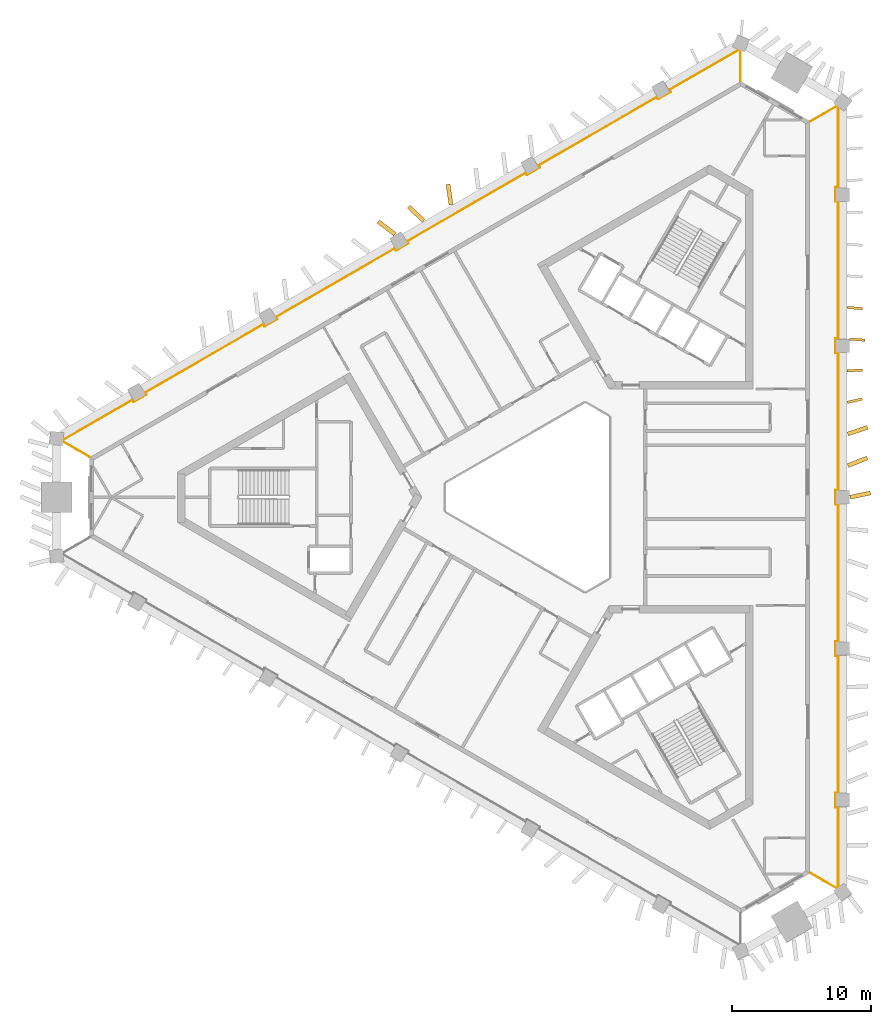
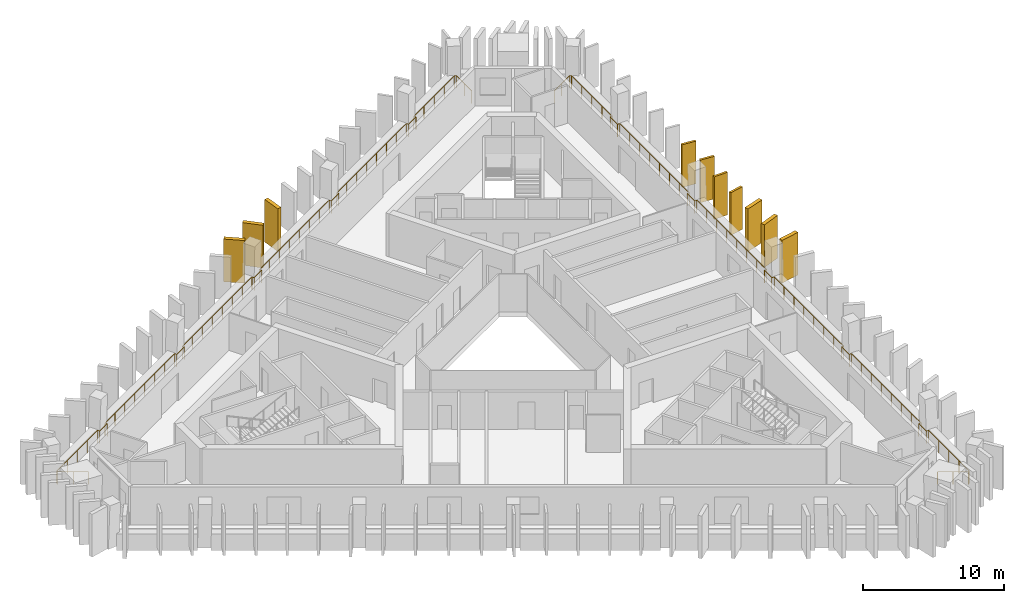
# One storey, part 9 of 10: 10 shading devices, 2 railings.
"""IFC4 building model written with IfcOpenShell, lengths in metres."""

from ifc_helpers import new_model, si_unit, direction, frame, frame_2d, origin, origin_2d, place, context, subcontext, project, spatial, rectangle, circle, extrude, material, layer, layer_set, type_object, element, save


model = new_model("IFC4")

# Units and contexts
model_context = context("Model", 3, precision=1e-05, world=origin(), true_north=direction((0.0, 1.0)))
body_context = subcontext(model_context, "Body", "Model", "MODEL_VIEW")
ifc_project = project(units=[si_unit("LENGTHUNIT", "METRE"), si_unit("AREAUNIT", "SQUARE_METRE"), si_unit("VOLUMEUNIT", "CUBIC_METRE"), si_unit("PLANEANGLEUNIT", "RADIAN"), si_unit("MASSUNIT", "GRAM", prefix="KILO")], contexts=[model_context])

# Site, building, storey
site_placement = place(None, origin())
site = spatial("IfcSite", under=ifc_project, at=site_placement, CompositionType="ELEMENT")
building_placement = place(site_placement, origin())
building = spatial("IfcBuilding", under=site, at=building_placement, Name="Jabali Bay Hotel Tower and Convention Centre", CompositionType="ELEMENT")
storey_placement = place(building_placement, frame((0.0, 0.0, 163.699951171875)))
storey = spatial("IfcBuildingStorey", under=building, at=storey_placement, Name="L39", CompositionType="ELEMENT", Elevation=163.699951171875)

# Railings
ifc_material_1 = material(Name="Glass", Category="glass")
railing_type = type_object("IfcRailingType", Name="Loggia glass guard 1100", PredefinedType="BALUSTRADE", material=ifc_material_1)
railing_1_placement = place(storey_placement, frame((94.000732421875, 107.090087890625, 0.0)))
element("IfcRailing", 1, at=railing_1_placement, inside=storey, type_object=railing_type, Name="Loggia glass guard L39", PredefinedType="BALUSTRADE", context=body_context, shape_type="SweptSolid", body=[
    extrude(circle(Radius=0.02490234375, at=origin_2d()), frame((0.0, 0.0, 1.0751953125), z_axis=(0.866007583809, 0.500030863832, 0.0), x_axis=(-0.495753030475, 0.858598768878, 0.13052619222)), (0.0, 0.0, 1.0), 2.192626953125),
    extrude(circle(Radius=0.02490234375, at=origin_2d()), frame((1.89892578125, 1.096435546875, 1.0751953125), z_axis=(0.800463797728, -0.599381104579, 0.0), x_axis=(0.59425331614, 0.793615718973, 0.13052619222)), (0.0, 0.0, 1.0), 0.126220703125),
    extrude(circle(Radius=0.02490234375, at=origin_2d()), frame((2.0, 1.020751953125, 1.0751953125), z_axis=(0.0, -1.0, 0.0), x_axis=(0.991444861374, 0.0, 0.13052619222)), (0.0, 0.0, 1.0), 5.757568359375),
    extrude(circle(Radius=0.02490234375, at=origin_2d()), frame((2.0, -4.73681640625, 1.0751953125), z_axis=(-1.0, 0.0, 0.0), x_axis=(0.0, -0.991444861374, 0.13052619222)), (0.0, 0.0, 1.0), 0.175048828125),
    extrude(circle(Radius=0.02490234375, at=origin_2d()), frame((1.824951171875, -4.73681640625, 1.0751953125), z_axis=(0.0, -1.0, 0.0), x_axis=(0.991444861374, 0.0, 0.13052619222)), (0.0, 0.0, 1.0), 1.0498046875),
    extrude(circle(Radius=0.02490234375, at=origin_2d()), frame((1.824951171875, -5.78662109375, 1.0751953125), z_axis=(1.0, 0.0, 0.0), x_axis=(0.0, 0.991444861374, 0.13052619222)), (0.0, 0.0, 1.0), 0.175048828125),
    extrude(circle(Radius=0.02490234375, at=origin_2d()), frame((2.0, -5.78662109375, 1.0751953125), z_axis=(0.0, -1.0, 0.0), x_axis=(0.991444861374, 0.0, 0.13052619222)), (0.0, 0.0, 1.0), 9.8642578125),
    extrude(circle(Radius=0.02490234375, at=origin_2d()), frame((2.0, -15.65087890625, 1.0751953125), z_axis=(-1.0, 0.0, 0.0), x_axis=(0.0, -0.991444861374, 0.13052619222)), (0.0, 0.0, 1.0), 0.175048828125),
    extrude(circle(Radius=0.02490234375, at=origin_2d()), frame((1.824951171875, -15.65087890625, 1.0751953125), z_axis=(0.0, -1.0, 0.0), x_axis=(0.991444861374, 0.0, 0.13052619222)), (0.0, 0.0, 1.0), 1.050048828125),
    extrude(circle(Radius=0.02490234375, at=origin_2d()), frame((1.824951171875, -16.700927734375, 1.0751953125), z_axis=(1.0, 0.0, 0.0), x_axis=(0.0, 0.991444861374, 0.13052619222)), (0.0, 0.0, 1.0), 0.175048828125),
    extrude(circle(Radius=0.02490234375, at=origin_2d()), frame((2.0, -16.700927734375, 1.0751953125), z_axis=(0.0, -1.0, 0.0), x_axis=(0.991444861374, 0.0, 0.13052619222)), (0.0, 0.0, 1.0), 9.8642578125),
    extrude(circle(Radius=0.02490234375, at=origin_2d()), frame((2.0, -26.565185546875, 1.0751953125), z_axis=(-1.0, 0.0, 0.0), x_axis=(0.0, -0.991444861374, 0.13052619222)), (0.0, 0.0, 1.0), 0.175048828125),
    extrude(circle(Radius=0.02490234375, at=origin_2d()), frame((1.824951171875, -26.565185546875, 1.0751953125), z_axis=(0.0, -1.0, 0.0), x_axis=(0.991444861374, 0.0, 0.13052619222)), (0.0, 0.0, 1.0), 1.0498046875),
    extrude(circle(Radius=0.02490234375, at=origin_2d()), frame((1.824951171875, -27.614990234375, 1.0751953125), z_axis=(1.0, 0.0, 0.0), x_axis=(0.0, 0.991444861374, 0.13052619222)), (0.0, 0.0, 1.0), 0.175048828125),
    extrude(circle(Radius=0.02490234375, at=origin_2d()), frame((2.0, -27.614990234375, 1.0751953125), z_axis=(0.0, -1.0, 0.0), x_axis=(0.991444861374, 0.0, 0.13052619222)), (0.0, 0.0, 1.0), 9.8642578125),
    extrude(circle(Radius=0.02490234375, at=origin_2d()), frame((2.0, -37.479248046875, 1.0751953125), z_axis=(-1.0, 0.0, 0.0), x_axis=(0.0, -0.991444861374, 0.13052619222)), (0.0, 0.0, 1.0), 0.175048828125),
    extrude(circle(Radius=0.02490234375, at=origin_2d()), frame((1.824951171875, -37.479248046875, 1.0751953125), z_axis=(0.0, -1.0, 0.0), x_axis=(0.991444861374, 0.0, 0.13052619222)), (0.0, 0.0, 1.0), 1.050048828125),
    extrude(circle(Radius=0.02490234375, at=origin_2d()), frame((1.824951171875, -38.529296875, 1.0751953125), z_axis=(1.0, 0.0, 0.0), x_axis=(0.0, 0.991444861374, 0.13052619222)), (0.0, 0.0, 1.0), 0.175048828125),
    extrude(circle(Radius=0.02490234375, at=origin_2d()), frame((2.0, -38.529296875, 1.0751953125), z_axis=(0.0, -1.0, 0.0), x_axis=(0.991444861374, 0.0, 0.13052619222)), (0.0, 0.0, 1.0), 9.8642578125),
    extrude(circle(Radius=0.02490234375, at=origin_2d()), frame((2.0, -48.3935546875, 1.0751953125), z_axis=(-1.0, 0.0, 0.0), x_axis=(0.0, -0.991444861374, 0.13052619222)), (0.0, 0.0, 1.0), 0.175048828125),
    extrude(circle(Radius=0.02490234375, at=origin_2d()), frame((1.824951171875, -48.3935546875, 1.0751953125), z_axis=(0.0, -1.0, 0.0), x_axis=(0.991444861374, 0.0, 0.13052619222)), (0.0, 0.0, 1.0), 1.0498046875),
    extrude(circle(Radius=0.02490234375, at=origin_2d()), frame((1.824951171875, -49.443359375, 1.0751953125), z_axis=(1.0, 0.0, 0.0), x_axis=(0.0, 0.991444861374, 0.13052619222)), (0.0, 0.0, 1.0), 0.175048828125),
    extrude(circle(Radius=0.02490234375, at=origin_2d()), frame((2.0, -49.443359375, 1.0751953125), z_axis=(0.0, -1.0, 0.0), x_axis=(0.991444861374, 0.0, 0.13052619222)), (0.0, 0.0, 1.0), 5.757568359375),
    extrude(circle(Radius=0.02490234375, at=origin_2d()), frame((2.0, -55.200927734375, 1.0751953125), z_axis=(-0.800463797728, -0.599381104579, 0.0), x_axis=(0.59425331614, -0.793615718973, 0.13052619222)), (0.0, 0.0, 1.0), 0.126220703125),
    extrude(circle(Radius=0.02490234375, at=origin_2d()), frame((1.89892578125, -55.276611328125, 1.0751953125), z_axis=(-0.866007583809, 0.500030863832, 0.0), x_axis=(-0.495753030475, -0.858598768878, 0.13052619222)), (0.0, 0.0, 1.0), 2.192626953125),
    extrude(circle(Radius=0.02001953125, at=origin_2d()), origin(), (0.0, 0.0, 1.0), 1.050048828125),
    extrude(circle(Radius=0.02001953125, at=origin_2d()), frame((0.949462890625, 0.54833984375, 0.0)), (0.0, 0.0, 1.0), 1.050048828125),
    extrude(circle(Radius=0.02001953125, at=origin_2d()), frame((1.89892578125, 1.096435546875, 0.0)), (0.0, 0.0, 1.0), 1.050048828125),
    extrude(circle(Radius=0.02001953125, at=origin_2d()), frame((2.0, 1.020751953125, 0.0)), (0.0, 0.0, 1.0), 1.050048828125),
    extrude(circle(Radius=0.02001953125, at=origin_2d()), frame((2.0, -0.418701171875, 0.0)), (0.0, 0.0, 1.0), 1.050048828125),
    extrude(circle(Radius=0.02001953125, at=origin_2d()), frame((2.0, -1.85791015625, 0.0)), (0.0, 0.0, 1.0), 1.050048828125),
    extrude(circle(Radius=0.02001953125, at=origin_2d()), frame((2.0, -3.29736328125, 0.0)), (0.0, 0.0, 1.0), 1.050048828125),
    extrude(circle(Radius=0.02001953125, at=origin_2d()), frame((2.0, -4.73681640625, 0.0)), (0.0, 0.0, 1.0), 1.050048828125),
    extrude(circle(Radius=0.02001953125, at=origin_2d()), frame((1.824951171875, -4.73681640625, 0.0)), (0.0, 0.0, 1.0), 1.050048828125),
    extrude(circle(Radius=0.02001953125, at=origin_2d()), frame((1.824951171875, -5.78662109375, 0.0)), (0.0, 0.0, 1.0), 1.050048828125),
    extrude(circle(Radius=0.02001953125, at=origin_2d()), frame((2.0, -5.78662109375, 0.0)), (0.0, 0.0, 1.0), 1.050048828125),
    extrude(circle(Radius=0.02001953125, at=origin_2d()), frame((2.0, -7.19580078125, 0.0)), (0.0, 0.0, 1.0), 1.050048828125),
    extrude(circle(Radius=0.02001953125, at=origin_2d()), frame((2.0, -8.60498046875, 0.0)), (0.0, 0.0, 1.0), 1.050048828125),
    extrude(circle(Radius=0.02001953125, at=origin_2d()), frame((2.0, -10.01416015625, 0.0)), (0.0, 0.0, 1.0), 1.050048828125),
    extrude(circle(Radius=0.02001953125, at=origin_2d()), frame((2.0, -11.42333984375, 0.0)), (0.0, 0.0, 1.0), 1.050048828125),
    extrude(circle(Radius=0.02001953125, at=origin_2d()), frame((2.0, -12.83251953125, 0.0)), (0.0, 0.0, 1.0), 1.050048828125),
    extrude(circle(Radius=0.02001953125, at=origin_2d()), frame((2.0, -14.24169921875, 0.0)), (0.0, 0.0, 1.0), 1.050048828125),
    extrude(circle(Radius=0.02001953125, at=origin_2d()), frame((2.0, -15.65087890625, 0.0)), (0.0, 0.0, 1.0), 1.050048828125),
    extrude(circle(Radius=0.02001953125, at=origin_2d()), frame((1.824951171875, -15.65087890625, 0.0)), (0.0, 0.0, 1.0), 1.050048828125),
    extrude(circle(Radius=0.02001953125, at=origin_2d()), frame((1.824951171875, -16.700927734375, 0.0)), (0.0, 0.0, 1.0), 1.050048828125),
    extrude(circle(Radius=0.02001953125, at=origin_2d()), frame((2.0, -16.700927734375, 0.0)), (0.0, 0.0, 1.0), 1.050048828125),
    extrude(circle(Radius=0.02001953125, at=origin_2d()), frame((2.0, -18.110107421875, 0.0)), (0.0, 0.0, 1.0), 1.050048828125),
    extrude(circle(Radius=0.02001953125, at=origin_2d()), frame((2.0, -19.519287109375, 0.0)), (0.0, 0.0, 1.0), 1.050048828125),
    extrude(circle(Radius=0.02001953125, at=origin_2d()), frame((2.0, -20.928466796875, 0.0)), (0.0, 0.0, 1.0), 1.050048828125),
    extrude(circle(Radius=0.02001953125, at=origin_2d()), frame((2.0, -22.337646484375, 0.0)), (0.0, 0.0, 1.0), 1.050048828125),
    extrude(circle(Radius=0.02001953125, at=origin_2d()), frame((2.0, -23.746826171875, 0.0)), (0.0, 0.0, 1.0), 1.050048828125),
    extrude(circle(Radius=0.02001953125, at=origin_2d()), frame((2.0, -25.156005859375, 0.0)), (0.0, 0.0, 1.0), 1.050048828125),
    extrude(circle(Radius=0.02001953125, at=origin_2d()), frame((2.0, -26.565185546875, 0.0)), (0.0, 0.0, 1.0), 1.050048828125),
    extrude(circle(Radius=0.02001953125, at=origin_2d()), frame((1.824951171875, -26.565185546875, 0.0)), (0.0, 0.0, 1.0), 1.050048828125),
    extrude(circle(Radius=0.02001953125, at=origin_2d()), frame((1.824951171875, -27.614990234375, 0.0)), (0.0, 0.0, 1.0), 1.050048828125),
    extrude(circle(Radius=0.02001953125, at=origin_2d()), frame((2.0, -27.614990234375, 0.0)), (0.0, 0.0, 1.0), 1.050048828125),
    extrude(circle(Radius=0.02001953125, at=origin_2d()), frame((2.0, -29.024169921875, 0.0)), (0.0, 0.0, 1.0), 1.050048828125),
    extrude(circle(Radius=0.02001953125, at=origin_2d()), frame((2.0, -30.433349609375, 0.0)), (0.0, 0.0, 1.0), 1.050048828125),
    extrude(circle(Radius=0.02001953125, at=origin_2d()), frame((2.0, -31.842529296875, 0.0)), (0.0, 0.0, 1.0), 1.050048828125),
    extrude(circle(Radius=0.02001953125, at=origin_2d()), frame((2.0, -33.251708984375, 0.0)), (0.0, 0.0, 1.0), 1.050048828125),
    extrude(circle(Radius=0.02001953125, at=origin_2d()), frame((2.0, -34.660888671875, 0.0)), (0.0, 0.0, 1.0), 1.050048828125),
    extrude(circle(Radius=0.02001953125, at=origin_2d()), frame((2.0, -36.070068359375, 0.0)), (0.0, 0.0, 1.0), 1.050048828125),
    extrude(circle(Radius=0.02001953125, at=origin_2d()), frame((2.0, -37.479248046875, 0.0)), (0.0, 0.0, 1.0), 1.050048828125),
    extrude(circle(Radius=0.02001953125, at=origin_2d()), frame((1.824951171875, -37.479248046875, 0.0)), (0.0, 0.0, 1.0), 1.050048828125),
    extrude(circle(Radius=0.02001953125, at=origin_2d()), frame((1.824951171875, -38.529296875, 0.0)), (0.0, 0.0, 1.0), 1.050048828125),
    extrude(circle(Radius=0.02001953125, at=origin_2d()), frame((2.0, -38.529296875, 0.0)), (0.0, 0.0, 1.0), 1.050048828125),
    extrude(circle(Radius=0.02001953125, at=origin_2d()), frame((2.0, -39.9384765625, 0.0)), (0.0, 0.0, 1.0), 1.050048828125),
    extrude(circle(Radius=0.02001953125, at=origin_2d()), frame((2.0, -41.34765625, 0.0)), (0.0, 0.0, 1.0), 1.050048828125),
    extrude(circle(Radius=0.02001953125, at=origin_2d()), frame((2.0, -42.7568359375, 0.0)), (0.0, 0.0, 1.0), 1.050048828125),
    extrude(circle(Radius=0.02001953125, at=origin_2d()), frame((2.0, -44.166015625, 0.0)), (0.0, 0.0, 1.0), 1.050048828125),
    extrude(circle(Radius=0.02001953125, at=origin_2d()), frame((2.0, -45.5751953125, 0.0)), (0.0, 0.0, 1.0), 1.050048828125),
    extrude(circle(Radius=0.02001953125, at=origin_2d()), frame((2.0, -46.984375, 0.0)), (0.0, 0.0, 1.0), 1.050048828125),
    extrude(circle(Radius=0.02001953125, at=origin_2d()), frame((2.0, -48.3935546875, 0.0)), (0.0, 0.0, 1.0), 1.050048828125),
    extrude(circle(Radius=0.02001953125, at=origin_2d()), frame((1.824951171875, -48.3935546875, 0.0)), (0.0, 0.0, 1.0), 1.050048828125),
    extrude(circle(Radius=0.02001953125, at=origin_2d()), frame((1.824951171875, -49.443359375, 0.0)), (0.0, 0.0, 1.0), 1.050048828125),
    extrude(circle(Radius=0.02001953125, at=origin_2d()), frame((2.0, -49.443359375, 0.0)), (0.0, 0.0, 1.0), 1.050048828125),
    extrude(circle(Radius=0.02001953125, at=origin_2d()), frame((2.0, -50.8828125, 0.0)), (0.0, 0.0, 1.0), 1.050048828125),
    extrude(circle(Radius=0.02001953125, at=origin_2d()), frame((2.0, -52.322265625, 0.0)), (0.0, 0.0, 1.0), 1.050048828125),
    extrude(circle(Radius=0.02001953125, at=origin_2d()), frame((2.0, -53.761474609375, 0.0)), (0.0, 0.0, 1.0), 1.050048828125),
    extrude(circle(Radius=0.02001953125, at=origin_2d()), frame((2.0, -55.200927734375, 0.0)), (0.0, 0.0, 1.0), 1.050048828125),
    extrude(circle(Radius=0.02001953125, at=origin_2d()), frame((1.89892578125, -55.276611328125, 0.0)), (0.0, 0.0, 1.0), 1.050048828125),
    extrude(circle(Radius=0.02001953125, at=origin_2d()), frame((0.949462890625, -54.728515625, 0.0)), (0.0, 0.0, 1.0), 1.050048828125),
    extrude(circle(Radius=0.02001953125, at=origin_2d()), frame((0.0, -54.18017578125, 0.0)), (0.0, 0.0, 1.0), 1.050048828125),
])
railing_2_placement = place(storey_placement, frame((42.0390625, 82.91015625, 0.0)))
element("IfcRailing", 2, at=railing_2_placement, inside=storey, type_object=railing_type, Name="Loggia glass guard L39", PredefinedType="BALUSTRADE", context=body_context, shape_type="SweptSolid", body=[
    extrude(circle(Radius=0.02490234375, at=origin_2d()), frame((0.0, 0.0, 1.0751953125), z_axis=(-0.866035418383, 0.499982653806, 0.0), x_axis=(-0.495705232892, -0.858626365323, 0.13052619222)), (0.0, 0.0, 1.0), 2.19287109375),
    extrude(circle(Radius=0.02490234375, at=origin_2d()), frame((-1.899169921875, 1.096435546875, 1.0751953125), z_axis=(0.119984594018, 0.992775753732, 0.0), x_axis=(-0.984282419534, 0.118958109183, 0.13052619222)), (0.0, 0.0, 1.0), 0.126220703125),
    extrude(circle(Radius=0.02490234375, at=origin_2d()), frame((-1.884033203125, 1.2216796875, 1.0751953125), z_axis=(0.86602952684, 0.49999285859, 0.0), x_axis=(-0.495715350372, 0.858620524184, 0.13052619222)), (0.0, 0.0, 1.0), 5.75732421875),
    extrude(circle(Radius=0.02490234375, at=origin_2d()), frame((3.10205078125, 4.100341796875, 1.0751953125), z_axis=(0.499440622861, -0.866348119543, 0.0), x_axis=(0.858936391282, 0.495167839097, 0.13052619222)), (0.0, 0.0, 1.0), 0.175048828125),
    extrude(circle(Radius=0.02490234375, at=origin_2d()), frame((3.189453125, 3.94873046875, 1.0751953125), z_axis=(0.865988129768, 0.500064554934, 0.0), x_axis=(-0.495786433345, 0.858579481269, 0.13052619222)), (0.0, 0.0, 1.0), 1.050048828125),
    extrude(circle(Radius=0.02490234375, at=origin_2d()), frame((4.098876953125, 4.473876953125, 1.0751953125), z_axis=(-0.501091290591, 0.865394429433, 0.0), x_axis=(-0.857990860123, -0.496804385136, 0.13052619222)), (0.0, 0.0, 1.0), 0.1748046875),
    extrude(circle(Radius=0.02490234375, at=origin_2d()), frame((4.01123046875, 4.625244140625, 1.0751953125), z_axis=(0.866026081843, 0.499998825566, 0.0), x_axis=(-0.495721266301, 0.858617108659, 0.13052619222)), (0.0, 0.0, 1.0), 9.8642578125),
    extrude(circle(Radius=0.02490234375, at=origin_2d()), frame((12.553955078125, 9.557373046875, 1.0751953125), z_axis=(0.499440622861, -0.866348119543, 0.0), x_axis=(0.858936391282, 0.495167839097, 0.13052619222)), (0.0, 0.0, 1.0), 0.175048828125),
    extrude(circle(Radius=0.02490234375, at=origin_2d()), frame((12.641357421875, 9.40576171875, 1.0751953125), z_axis=(0.865988129768, 0.500064554934, 0.0), x_axis=(-0.495786433345, 0.858579481269, 0.13052619222)), (0.0, 0.0, 1.0), 1.050048828125),
    extrude(circle(Radius=0.02490234375, at=origin_2d()), frame((13.55078125, 9.930908203125, 1.0751953125), z_axis=(-0.499440622861, 0.866348119543, 0.0), x_axis=(-0.858936391282, -0.495167839097, 0.13052619222)), (0.0, 0.0, 1.0), 0.175048828125),
    extrude(circle(Radius=0.02490234375, at=origin_2d()), frame((13.46337890625, 10.08251953125, 1.0751953125), z_axis=(0.866030611531, 0.49999097981, 0.0), x_axis=(-0.495713487666, 0.858621599595, 0.13052619222)), (0.0, 0.0, 1.0), 9.864013671875),
    extrude(circle(Radius=0.02490234375, at=origin_2d()), frame((22.005859375, 15.014404296875, 1.0751953125), z_axis=(0.501091290591, -0.865394429433, 0.0), x_axis=(0.857990860123, 0.496804385136, 0.13052619222)), (0.0, 0.0, 1.0), 0.1748046875),
    extrude(circle(Radius=0.02490234375, at=origin_2d()), frame((22.093505859375, 14.863037109375, 1.0751953125), z_axis=(0.866030680601, 0.499990860175, 0.0), x_axis=(-0.495713369054, 0.858621668074, 0.13052619222)), (0.0, 0.0, 1.0), 1.0498046875),
    extrude(circle(Radius=0.02490234375, at=origin_2d()), frame((23.002685546875, 15.387939453125, 1.0751953125), z_axis=(-0.499440622861, 0.866348119543, 0.0), x_axis=(-0.858936391282, -0.495167839097, 0.13052619222)), (0.0, 0.0, 1.0), 0.175048828125),
    extrude(circle(Radius=0.02490234375, at=origin_2d()), frame((22.915283203125, 15.53955078125, 1.0751953125), z_axis=(0.866019894181, 0.500009542791, 0.0), x_axis=(-0.495731891838, 0.858610973934, 0.13052619222)), (0.0, 0.0, 1.0), 9.864013671875),
    extrude(circle(Radius=0.02490234375, at=origin_2d()), frame((31.457763671875, 20.4716796875, 1.0751953125), z_axis=(0.500486622847, -0.865744269604, 0.0), x_axis=(0.858337707362, 0.496204890408, 0.13052619222)), (0.0, 0.0, 1.0), 0.175048828125),
    extrude(circle(Radius=0.02490234375, at=origin_2d()), frame((31.54541015625, 20.320068359375, 1.0751953125), z_axis=(0.866030680601, 0.499990860175, 0.0), x_axis=(-0.495713369054, 0.858621668074, 0.13052619222)), (0.0, 0.0, 1.0), 1.0498046875),
    extrude(circle(Radius=0.02490234375, at=origin_2d()), frame((32.45458984375, 20.844970703125, 1.0751953125), z_axis=(-0.499440622861, 0.866348119543, 0.0), x_axis=(-0.858936391282, -0.495167839097, 0.13052619222)), (0.0, 0.0, 1.0), 0.175048828125),
    extrude(circle(Radius=0.02490234375, at=origin_2d()), frame((32.3671875, 20.99658203125, 1.0751953125), z_axis=(0.866026081843, 0.499998825566, 0.0), x_axis=(-0.495721266301, 0.858617108659, 0.13052619222)), (0.0, 0.0, 1.0), 9.8642578125),
    extrude(circle(Radius=0.02490234375, at=origin_2d()), frame((40.909912109375, 25.9287109375, 1.0751953125), z_axis=(0.499440622861, -0.866348119543, 0.0), x_axis=(0.858936391282, 0.495167839097, 0.13052619222)), (0.0, 0.0, 1.0), 0.175048828125),
    extrude(circle(Radius=0.02490234375, at=origin_2d()), frame((40.997314453125, 25.777099609375, 1.0751953125), z_axis=(0.865988129768, 0.500064554934, 0.0), x_axis=(-0.495786433345, 0.858579481269, 0.13052619222)), (0.0, 0.0, 1.0), 1.050048828125),
    extrude(circle(Radius=0.02490234375, at=origin_2d()), frame((41.90673828125, 26.30224609375, 1.0751953125), z_axis=(-0.501091290591, 0.865394429433, 0.0), x_axis=(-0.857990860123, -0.496804385136, 0.13052619222)), (0.0, 0.0, 1.0), 0.1748046875),
    extrude(circle(Radius=0.02490234375, at=origin_2d()), frame((41.819091796875, 26.45361328125, 1.0751953125), z_axis=(0.866011165082, 0.500024661345, 0.0), x_axis=(-0.495746881051, 0.858602319513, 0.13052619222)), (0.0, 0.0, 1.0), 5.757568359375),
    extrude(circle(Radius=0.02490234375, at=origin_2d()), frame((46.80517578125, 29.33251953125, 1.0751953125), z_axis=(0.91884459615, -0.394619573926, 0.0), x_axis=(0.391243548766, 0.910983753254, 0.13052619222)), (0.0, 0.0, 1.0), 0.126220703125),
    extrude(circle(Radius=0.02490234375, at=origin_2d()), frame((46.921142578125, 29.28271484375, 1.0751953125), z_axis=(0.0, -1.0, 0.0), x_axis=(0.991444861374, 0.0, 0.13052619222)), (0.0, 0.0, 1.0), 2.192626953125),
    extrude(circle(Radius=0.02001953125, at=origin_2d()), origin(), (0.0, 0.0, 1.0), 1.050048828125),
    extrude(circle(Radius=0.02001953125, at=origin_2d()), frame((-0.94970703125, 0.54833984375, 0.0)), (0.0, 0.0, 1.0), 1.050048828125),
    extrude(circle(Radius=0.02001953125, at=origin_2d()), frame((-1.899169921875, 1.096435546875, 0.0)), (0.0, 0.0, 1.0), 1.050048828125),
    extrude(circle(Radius=0.02001953125, at=origin_2d()), frame((-1.884033203125, 1.2216796875, 0.0)), (0.0, 0.0, 1.0), 1.050048828125),
    extrude(circle(Radius=0.02001953125, at=origin_2d()), frame((-0.637451171875, 1.94140625, 0.0)), (0.0, 0.0, 1.0), 1.050048828125),
    extrude(circle(Radius=0.02001953125, at=origin_2d()), frame((0.60888671875, 2.6611328125, 0.0)), (0.0, 0.0, 1.0), 1.050048828125),
    extrude(circle(Radius=0.02001953125, at=origin_2d()), frame((1.85546875, 3.380615234375, 0.0)), (0.0, 0.0, 1.0), 1.050048828125),
    extrude(circle(Radius=0.02001953125, at=origin_2d()), frame((3.10205078125, 4.100341796875, 0.0)), (0.0, 0.0, 1.0), 1.050048828125),
    extrude(circle(Radius=0.02001953125, at=origin_2d()), frame((3.189453125, 3.94873046875, 0.0)), (0.0, 0.0, 1.0), 1.050048828125),
    extrude(circle(Radius=0.02001953125, at=origin_2d()), frame((4.098876953125, 4.473876953125, 0.0)), (0.0, 0.0, 1.0), 1.050048828125),
    extrude(circle(Radius=0.02001953125, at=origin_2d()), frame((4.01123046875, 4.625244140625, 0.0)), (0.0, 0.0, 1.0), 1.050048828125),
    extrude(circle(Radius=0.02001953125, at=origin_2d()), frame((5.231689453125, 5.329833984375, 0.0)), (0.0, 0.0, 1.0), 1.050048828125),
    extrude(circle(Radius=0.02001953125, at=origin_2d()), frame((6.451904296875, 6.034423828125, 0.0)), (0.0, 0.0, 1.0), 1.050048828125),
    extrude(circle(Radius=0.02001953125, at=origin_2d()), frame((7.67236328125, 6.739013671875, 0.0)), (0.0, 0.0, 1.0), 1.050048828125),
    extrude(circle(Radius=0.02001953125, at=origin_2d()), frame((8.892822265625, 7.443603515625, 0.0)), (0.0, 0.0, 1.0), 1.050048828125),
    extrude(circle(Radius=0.02001953125, at=origin_2d()), frame((10.11328125, 8.148193359375, 0.0)), (0.0, 0.0, 1.0), 1.050048828125),
    extrude(circle(Radius=0.02001953125, at=origin_2d()), frame((11.33349609375, 8.852783203125, 0.0)), (0.0, 0.0, 1.0), 1.050048828125),
    extrude(circle(Radius=0.02001953125, at=origin_2d()), frame((12.553955078125, 9.557373046875, 0.0)), (0.0, 0.0, 1.0), 1.050048828125),
    extrude(circle(Radius=0.02001953125, at=origin_2d()), frame((12.641357421875, 9.40576171875, 0.0)), (0.0, 0.0, 1.0), 1.050048828125),
    extrude(circle(Radius=0.02001953125, at=origin_2d()), frame((13.55078125, 9.930908203125, 0.0)), (0.0, 0.0, 1.0), 1.050048828125),
    extrude(circle(Radius=0.02001953125, at=origin_2d()), frame((13.46337890625, 10.08251953125, 0.0)), (0.0, 0.0, 1.0), 1.050048828125),
    extrude(circle(Radius=0.02001953125, at=origin_2d()), frame((14.683837890625, 10.787109375, 0.0)), (0.0, 0.0, 1.0), 1.050048828125),
    extrude(circle(Radius=0.02001953125, at=origin_2d()), frame((15.904052734375, 11.49169921875, 0.0)), (0.0, 0.0, 1.0), 1.050048828125),
    extrude(circle(Radius=0.02001953125, at=origin_2d()), frame((17.12451171875, 12.1962890625, 0.0)), (0.0, 0.0, 1.0), 1.050048828125),
    extrude(circle(Radius=0.02001953125, at=origin_2d()), frame((18.3447265625, 12.900634765625, 0.0)), (0.0, 0.0, 1.0), 1.050048828125),
    extrude(circle(Radius=0.02001953125, at=origin_2d()), frame((19.565185546875, 13.605224609375, 0.0)), (0.0, 0.0, 1.0), 1.050048828125),
    extrude(circle(Radius=0.02001953125, at=origin_2d()), frame((20.785400390625, 14.309814453125, 0.0)), (0.0, 0.0, 1.0), 1.050048828125),
    extrude(circle(Radius=0.02001953125, at=origin_2d()), frame((22.005859375, 15.014404296875, 0.0)), (0.0, 0.0, 1.0), 1.050048828125),
    extrude(circle(Radius=0.02001953125, at=origin_2d()), frame((22.093505859375, 14.863037109375, 0.0)), (0.0, 0.0, 1.0), 1.050048828125),
    extrude(circle(Radius=0.02001953125, at=origin_2d()), frame((23.002685546875, 15.387939453125, 0.0)), (0.0, 0.0, 1.0), 1.050048828125),
    extrude(circle(Radius=0.02001953125, at=origin_2d()), frame((22.915283203125, 15.53955078125, 0.0)), (0.0, 0.0, 1.0), 1.050048828125),
    extrude(circle(Radius=0.02001953125, at=origin_2d()), frame((24.1357421875, 16.244140625, 0.0)), (0.0, 0.0, 1.0), 1.050048828125),
    extrude(circle(Radius=0.02001953125, at=origin_2d()), frame((25.35595703125, 16.94873046875, 0.0)), (0.0, 0.0, 1.0), 1.050048828125),
    extrude(circle(Radius=0.02001953125, at=origin_2d()), frame((26.576416015625, 17.6533203125, 0.0)), (0.0, 0.0, 1.0), 1.050048828125),
    extrude(circle(Radius=0.02001953125, at=origin_2d()), frame((27.796630859375, 18.35791015625, 0.0)), (0.0, 0.0, 1.0), 1.050048828125),
    extrude(circle(Radius=0.02001953125, at=origin_2d()), frame((29.01708984375, 19.0625, 0.0)), (0.0, 0.0, 1.0), 1.050048828125),
    extrude(circle(Radius=0.02001953125, at=origin_2d()), frame((30.2373046875, 19.76708984375, 0.0)), (0.0, 0.0, 1.0), 1.050048828125),
    extrude(circle(Radius=0.02001953125, at=origin_2d()), frame((31.457763671875, 20.4716796875, 0.0)), (0.0, 0.0, 1.0), 1.050048828125),
    extrude(circle(Radius=0.02001953125, at=origin_2d()), frame((31.54541015625, 20.320068359375, 0.0)), (0.0, 0.0, 1.0), 1.050048828125),
    extrude(circle(Radius=0.02001953125, at=origin_2d()), frame((32.45458984375, 20.844970703125, 0.0)), (0.0, 0.0, 1.0), 1.050048828125),
    extrude(circle(Radius=0.02001953125, at=origin_2d()), frame((32.3671875, 20.99658203125, 0.0)), (0.0, 0.0, 1.0), 1.050048828125),
    extrude(circle(Radius=0.02001953125, at=origin_2d()), frame((33.587646484375, 21.701171875, 0.0)), (0.0, 0.0, 1.0), 1.050048828125),
    extrude(circle(Radius=0.02001953125, at=origin_2d()), frame((34.807861328125, 22.40576171875, 0.0)), (0.0, 0.0, 1.0), 1.050048828125),
    extrude(circle(Radius=0.02001953125, at=origin_2d()), frame((36.0283203125, 23.1103515625, 0.0)), (0.0, 0.0, 1.0), 1.050048828125),
    extrude(circle(Radius=0.02001953125, at=origin_2d()), frame((37.248779296875, 23.81494140625, 0.0)), (0.0, 0.0, 1.0), 1.050048828125),
    extrude(circle(Radius=0.02001953125, at=origin_2d()), frame((38.46923828125, 24.51953125, 0.0)), (0.0, 0.0, 1.0), 1.050048828125),
    extrude(circle(Radius=0.02001953125, at=origin_2d()), frame((39.689453125, 25.22412109375, 0.0)), (0.0, 0.0, 1.0), 1.050048828125),
    extrude(circle(Radius=0.02001953125, at=origin_2d()), frame((40.909912109375, 25.9287109375, 0.0)), (0.0, 0.0, 1.0), 1.050048828125),
    extrude(circle(Radius=0.02001953125, at=origin_2d()), frame((40.997314453125, 25.777099609375, 0.0)), (0.0, 0.0, 1.0), 1.050048828125),
    extrude(circle(Radius=0.02001953125, at=origin_2d()), frame((41.90673828125, 26.30224609375, 0.0)), (0.0, 0.0, 1.0), 1.050048828125),
    extrude(circle(Radius=0.02001953125, at=origin_2d()), frame((41.819091796875, 26.45361328125, 0.0)), (0.0, 0.0, 1.0), 1.050048828125),
    extrude(circle(Radius=0.02001953125, at=origin_2d()), frame((43.065673828125, 27.17333984375, 0.0)), (0.0, 0.0, 1.0), 1.050048828125),
    extrude(circle(Radius=0.02001953125, at=origin_2d()), frame((44.31201171875, 27.89306640625, 0.0)), (0.0, 0.0, 1.0), 1.050048828125),
    extrude(circle(Radius=0.02001953125, at=origin_2d()), frame((45.55859375, 28.61279296875, 0.0)), (0.0, 0.0, 1.0), 1.050048828125),
    extrude(circle(Radius=0.02001953125, at=origin_2d()), frame((46.80517578125, 29.33251953125, 0.0)), (0.0, 0.0, 1.0), 1.050048828125),
    extrude(circle(Radius=0.02001953125, at=origin_2d()), frame((46.921142578125, 29.28271484375, 0.0)), (0.0, 0.0, 1.0), 1.050048828125),
    extrude(circle(Radius=0.02001953125, at=origin_2d()), frame((46.921142578125, 28.1865234375, 0.0)), (0.0, 0.0, 1.0), 1.050048828125),
    extrude(circle(Radius=0.02001953125, at=origin_2d()), frame((46.921142578125, 27.090087890625, 0.0)), (0.0, 0.0, 1.0), 1.050048828125),
])

# Shading devices
ifc_material_2 = material(Name="Precast concrete C60", Category="concrete")
ifc_layer_1 = layer(ifc_material_2, 0.179931640625)
ifc_layer_set_1 = layer_set([ifc_layer_1], Name="Precast concrete C60")
shading_device_type_1 = type_object("IfcShadingDeviceType", Name="Precast fin 3680 x 1100", PredefinedType="USERDEFINED", material=ifc_layer_set_1)
shading_device_1_placement = place(storey_placement, frame((96.6630859375, 86.841064453125, 0.010009765625), z_axis=(0.0, 0.0, 1.0), x_axis=(0.975163367462, 0.221486809451, 0.0)))
element("IfcShadingDevice", 3, at=shading_device_1_placement, inside=storey, type_object=shading_device_type_1, Name="Fin L39 015", ObjectType="FIN", PredefinedType="USERDEFINED", context=body_context, shape_type="SweptSolid", body=[
    extrude(rectangle(XDim=1.10009765625, YDim=0.179931640625, at=frame_2d((0.550048828125, 0.0))), origin(), (0.0, 0.0, 1.0), 3.679931640625),
])
for number, where, z_axis, x_axis, name in (
    (4, (96.645751953125, 89.121337890625, 0.010009765625), (0.0, 0.0, 1.0), (0.999614933948, 0.027748582444, 0.0), "Fin L39 016"),
    (5, (96.83251953125, 91.40185546875, 0.010009765625), (0.0, 0.0, 1.0), (0.997080541598, -0.076357013871, 0.0), "Fin L39 017"),
):
    element("IfcShadingDevice", number, at=place(storey_placement, frame(where, z_axis=z_axis, x_axis=x_axis)), inside=storey, type_object=shading_device_type_1, Name=name, ObjectType="FIN", PredefinedType="USERDEFINED", context=body_context, shape_type="SweptSolid", body=[
        extrude(rectangle(XDim=1.099853515625, YDim=0.179931640625, at=frame_2d((0.5498046875, 0.0))), origin(), (0.0, 0.0, 1.0), 3.679931640625),
    ])
shading_device_2_placement = place(storey_placement, frame((96.65087890625, 93.68212890625, 0.010009765625), z_axis=(0.0, 0.0, 1.0), x_axis=(0.996304441521, -0.085892140537, 0.0)))
element("IfcShadingDevice", 6, at=shading_device_2_placement, inside=storey, type_object=shading_device_type_1, Name="Fin L39 018", ObjectType="FIN", PredefinedType="USERDEFINED", context=body_context, shape_type="SweptSolid", body=[
    extrude(rectangle(XDim=1.10009765625, YDim=0.179931640625, at=frame_2d((0.550048828125, 0.0))), origin(), (0.0, 0.0, 1.0), 3.679931640625),
])
ifc_layer_2 = layer(ifc_material_2, 0.300048828125)
ifc_layer_set_2 = layer_set([ifc_layer_2], Name="Precast concrete C60")
shading_device_type_2 = type_object("IfcShadingDeviceType", Name="Precast fin 3680 x 1500", PredefinedType="USERDEFINED", material=ifc_layer_set_2)
shading_device_3_placement = place(storey_placement, frame((96.856689453125, 80.0, 0.010009765625), z_axis=(0.0, 0.0, 1.0), x_axis=(0.978433918677, 0.20656008032, 0.0)))
element("IfcShadingDevice", 7, at=shading_device_3_placement, inside=storey, type_object=shading_device_type_2, Name="Fin L39 012", ObjectType="FIN", PredefinedType="USERDEFINED", context=body_context, shape_type="SweptSolid", body=[
    extrude(rectangle(XDim=1.499755859375, YDim=0.300048828125, at=frame_2d((0.75, 0.0))), origin(), (0.0, 0.0, 1.0), 3.679931640625),
])
for number, where, z_axis, x_axis, name in (
    (8, (96.697998046875, 82.2802734375, 0.010009765625), (0.0, 0.0, 1.0), (0.930848399845, 0.365405605465, 0.0), "Fin L39 013"),
    (9, (96.690673828125, 84.560791015625, 0.010009765625), (0.0, 0.0, 1.0), (0.948406241813, 0.317057724224, 0.0), "Fin L39 014"),
):
    element("IfcShadingDevice", number, at=place(storey_placement, frame(where, z_axis=z_axis, x_axis=x_axis)), inside=storey, type_object=shading_device_type_2, Name=name, ObjectType="FIN", PredefinedType="USERDEFINED", context=body_context, shape_type="SweptSolid", body=[
        extrude(rectangle(XDim=1.5, YDim=0.300048828125, at=frame_2d((0.75, 0.0))), origin(), (0.0, 0.0, 1.0), 3.679931640625),
    ])
shading_device_4_placement = place(storey_placement, frame((68.100341796875, 101.072021484375, 0.010009765625), z_axis=(0.0, 0.0, 1.0), x_axis=(-0.144223876381, 0.989545084108, 0.0)))
element("IfcShadingDevice", 10, at=shading_device_4_placement, inside=storey, type_object=shading_device_type_2, Name="Fin L39 043", ObjectType="FIN", PredefinedType="USERDEFINED", context=body_context, shape_type="SweptSolid", body=[
    extrude(rectangle(XDim=1.499755859375, YDim=0.300048828125, at=frame_2d((0.75, 0.0))), origin(), (0.0, 0.0, 1.0), 3.679931640625),
])
for number, where, z_axis, x_axis, name in (
    (11, (66.131591796875, 99.921142578125, 0.010009765625), (0.0, 0.0, 1.0), (-0.728973578633, 0.684541833385, 0.0), "Fin L39 044"),
    (12, (64.058349609375, 98.951416015625, 0.010009765625), (0.0, 0.0, 1.0), (-0.794537958448, 0.607214486475, 0.0), "Fin L39 045"),
):
    element("IfcShadingDevice", number, at=place(storey_placement, frame(where, z_axis=z_axis, x_axis=x_axis)), inside=storey, type_object=shading_device_type_2, Name=name, ObjectType="FIN", PredefinedType="USERDEFINED", context=body_context, shape_type="SweptSolid", body=[
        extrude(rectangle(XDim=1.5, YDim=0.300048828125, at=frame_2d((0.75, 0.0))), origin(), (0.0, 0.0, 1.0), 3.679931640625),
    ])

save(model, "model.ifc")
